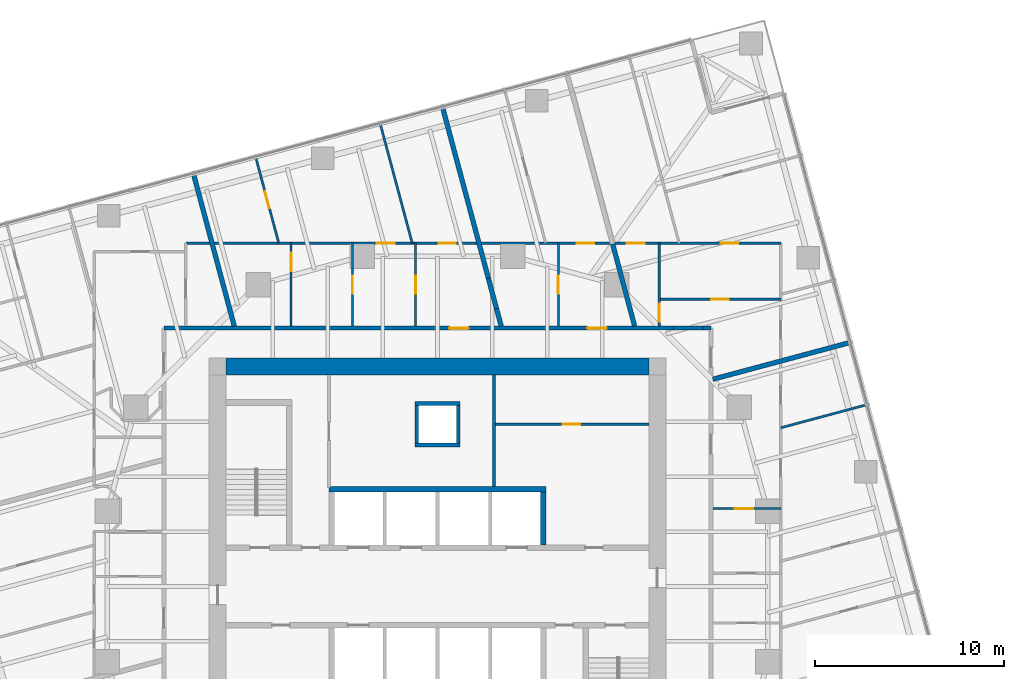
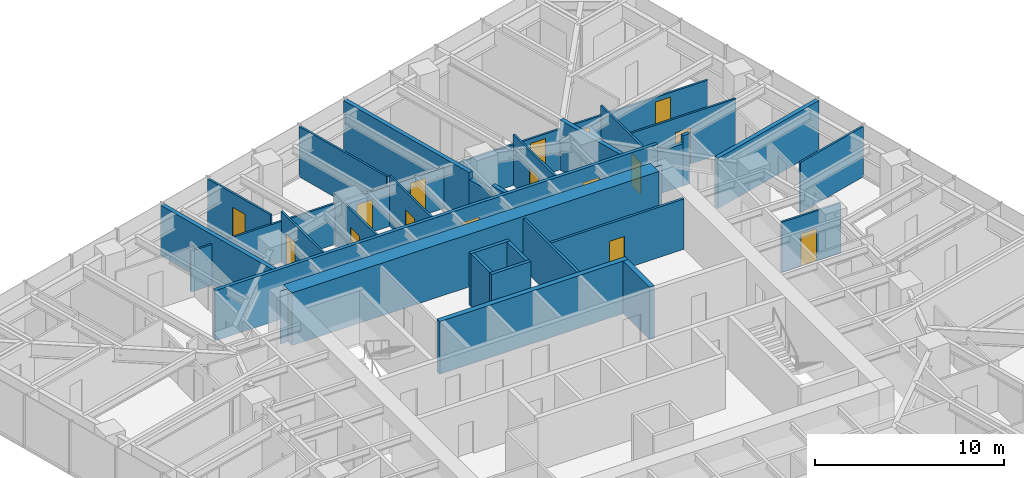
# One storey, part 13 of 15: 29 walls, 16 doors, 16 openings.
"""IFC4 building model written with IfcOpenShell, lengths in metres."""

from ifc_helpers import new_model, si_unit, direction, frame, frame_2d, origin, place, context, subcontext, project, spatial, polyline, rectangle, outline, extrude, material, layer, layer_set, type_object, element, fill, save


model = new_model("IFC4")

# Units and contexts
model_context = context("Model", 3, precision=1e-05, world=origin(), true_north=direction((0.0, 1.0)))
body_context = subcontext(model_context, "Body", "Model", "MODEL_VIEW")
ifc_project = project(units=[si_unit("LENGTHUNIT", "METRE"), si_unit("AREAUNIT", "SQUARE_METRE"), si_unit("VOLUMEUNIT", "CUBIC_METRE"), si_unit("PLANEANGLEUNIT", "RADIAN"), si_unit("MASSUNIT", "GRAM", prefix="KILO")], contexts=[model_context])

# Site, building, storey
site_placement = place(None, origin())
site = spatial("IfcSite", under=ifc_project, at=site_placement, CompositionType="ELEMENT")
building_placement = place(site_placement, origin())
building = spatial("IfcBuilding", under=site, at=building_placement, Name="Torsade Residences", CompositionType="ELEMENT")
storey_placement = place(building_placement, frame((0.0, 0.0, 132.0)))
storey = spatial("IfcBuildingStorey", under=building, at=storey_placement, Name="L36", CompositionType="ELEMENT", Elevation=132.0)

# Walls
ifc_material_1 = material(Name="Concrete 80 MPa", Category="concrete")
ifc_layer_1 = layer(ifc_material_1, 0.300048828125)
ifc_layer_set_1 = layer_set([ifc_layer_1], Name="Concrete 80 MPa")
wall_type_1 = type_object("IfcWallType", Name="CORE INTERNAL WALL 300", PredefinedType="SHEAR", material=ifc_layer_set_1)
wall_1_placement = place(storey_placement, frame((34.25, 35.14990234375, 0.0), z_axis=(0.0, 0.0, 1.0), x_axis=(1.0, 0.0, 0.0)))
element("IfcWall", 1, at=wall_1_placement, inside=storey, type_object=wall_type_1, Name="Core wall BN L36", PredefinedType="SHEAR", context=body_context, shape_type="SweptSolid", body=[
    extrude(rectangle(XDim=11.5, YDim=0.300048828125, at=frame_2d((5.75, 0.0))), origin(), (0.0, 0.0, 1.0), 3.39990234375),
])
wall_2_placement = place(storey_placement, frame((45.60009765625, 32.199951171875, 0.0), z_axis=(0.0, 0.0, 1.0), x_axis=(0.0, 1.0, 0.0)))
element("IfcWall", 2, at=wall_2_placement, inside=storey, type_object=wall_type_1, Name="Core wall DN4 L36", PredefinedType="SHEAR", context=body_context, shape_type="SweptSolid", body=[
    extrude(rectangle(XDim=2.800048828125, YDim=0.300048828125, at=frame_2d((1.39990234375, 0.0))), origin(), (0.0, 0.0, 1.0), 3.39990234375),
])
ifc_material_2 = material(Name="Concrete 80 MPa", Category="concrete")
ifc_layer_2 = layer(ifc_material_2, 0.89990234375)
ifc_layer_set_2 = layer_set([ifc_layer_2], Name="Concrete 80 MPa")
wall_type_2 = type_object("IfcWallType", Name="CORE WALL 900", PredefinedType="SHEAR", material=ifc_layer_set_2)
wall_3_placement = place(storey_placement, frame((28.800048828125, 41.64990234375, 0.0), z_axis=(0.0, 0.0, 1.0), x_axis=(1.0, 0.0, 0.0)))
element("IfcWall", 3, at=wall_3_placement, inside=storey, type_object=wall_type_2, Name="Core wall N L36", PredefinedType="SHEAR", context=body_context, shape_type="SweptSolid", body=[
    extrude(outline(polyline([(0.0, -0.449951171875), (22.39990234375, -0.449951171875), (22.39990234375, -0.02490234375), (22.849853515625, -0.02490234375), (22.849853515625, 0.02490234375), (22.39990234375, 0.02490234375), (22.39990234375, 0.449951171875), (0.0, 0.449951171875), (0.0, 0.02490234375), (-0.449951171875, 0.02490234375), (-0.449951171875, -0.02490234375), (0.0, -0.02490234375), (0.0, -0.449951171875)])), origin(), (0.0, 0.0, 1.0), 3.39990234375),
])
ifc_material_3 = material(Name="Plasterboard on steel stud", Category="steel")
ifc_layer_3 = layer(ifc_material_3, 0.199951171875)
ifc_layer_set_3 = layer_set([ifc_layer_3], Name="Plasterboard on steel stud")
wall_type_3 = type_object("IfcWallType", Name="CORRIDOR WALL 200", PredefinedType="PARTITIONING", material=ifc_layer_set_3)
wall_4_placement = place(storey_placement, frame((54.5, 43.699951171875, 0.0), z_axis=(0.0, 0.0, 1.0), x_axis=(-1.0, 0.0, 0.0)))
element("IfcWall", 4, at=wall_4_placement, inside=storey, type_object=wall_type_3, Name="Corridor wall L36", PredefinedType="PARTITIONING", context=body_context, shape_type="SweptSolid", body=[
    extrude(rectangle(XDim=0.426025390625, YDim=0.199951171875, at=frame_2d((0.212890625, 0.0))), origin(), (0.0, 0.0, 1.0), 3.25),
])
wall_5_placement = place(storey_placement, frame((54.073974609375, 43.699951171875, 0.0), z_axis=(0.0, 0.0, 1.0), x_axis=(-1.0, 0.0, 0.0)))
element("IfcWall", 5, at=wall_5_placement, inside=storey, type_object=wall_type_3, Name="Corridor wall L36", PredefinedType="PARTITIONING", context=body_context, shape_type="SweptSolid", body=[
    extrude(rectangle(XDim=1.553955078125, YDim=0.199951171875, at=frame_2d((0.77685546875, 0.0))), origin(), (0.0, 0.0, 1.0), 2.720947265625),
])

# Wall, openings, doors
wall_6_placement = place(storey_placement, frame((52.52001953125, 43.699951171875, 0.0), z_axis=(0.0, 0.0, 1.0), x_axis=(-1.0, 0.0, 0.0)))
wall_6 = element("IfcWall", 6, at=wall_6_placement, inside=storey, type_object=wall_type_3, Name="Corridor wall L36", PredefinedType="PARTITIONING", context=body_context, shape_type="SweptSolid", body=[
    extrude(rectangle(XDim=27.02001953125, YDim=0.199951171875, at=frame_2d((13.510009765625, 0.0))), origin(), (0.0, 0.0, 1.0), 3.25),
])
opening_1_placement = place(wall_6_placement, frame((10.8720703125, 0.0, 0.0)))
opening_1 = element("IfcOpeningElement", 7, at=opening_1_placement, cuts=wall_6, Name="Opening D01", PredefinedType="OPENING", context=body_context, shape_type="SweptSolid", body=[
    extrude(rectangle(XDim=1.02001953125, YDim=2.340087890625, at=frame_2d((0.510009765625, 1.169921875))), frame((0.0, 0.10986328125, 0.0), z_axis=(0.0, -1.0, 0.0), x_axis=(1.0, 0.0, 0.0)), (0.0, 0.0, 1.0), 0.219970703125),
])
opening_2_placement = place(wall_6_placement, frame((3.54931640625, 0.0, 0.0)))
opening_2 = element("IfcOpeningElement", 8, at=opening_2_placement, cuts=wall_6, Name="Opening D01", PredefinedType="OPENING", context=body_context, shape_type="SweptSolid", body=[
    extrude(rectangle(XDim=1.02001953125, YDim=2.340087890625, at=frame_2d((0.510009765625, 1.169921875))), frame((0.0, 0.10986328125, 0.0), z_axis=(0.0, -1.0, 0.0), x_axis=(1.0, 0.0, 0.0)), (0.0, 0.0, 1.0), 0.219970703125),
])
ifc_material_4 = material(Name="Solid-core timber fire door", Category="wood")
door_type_1 = type_object("IfcDoorType", Name="APARTMENT ENTRY DOOR 1020x2340", OperationType="NOTDEFINED", PredefinedType="DOOR", material=ifc_material_4)
door_1_placement = place(opening_1_placement, origin())
door_1 = element("IfcDoor", 9, at=door_1_placement, inside=storey, type_object=door_type_1, Name="Door Residential corridor to Kitchen and dining", OperationType="SINGLE_SWING_LEFT", OverallHeight=2.340087890625, OverallWidth=1.02001953125, PredefinedType="DOOR", context=body_context, shape_type="SweptSolid", body=[
    extrude(rectangle(XDim=1.02001953125, YDim=2.340087890625, at=frame_2d((0.510009765625, 1.169921875))), frame((0.0, 0.02490234375, 0.0), z_axis=(0.0, -1.0, 0.0), x_axis=(1.0, 0.0, 0.0)), (0.0, 0.0, 1.0), 0.050048828125),
])
fill(opening_1, door_1)
door_2_placement = place(opening_2_placement, origin())
door_2 = element("IfcDoor", 10, at=door_2_placement, inside=storey, type_object=door_type_1, Name="Door Residential corridor to Kitchen and dining", OperationType="SINGLE_SWING_LEFT", OverallHeight=2.340087890625, OverallWidth=1.02001953125, PredefinedType="DOOR", context=body_context, shape_type="SweptSolid", body=[
    extrude(rectangle(XDim=1.02001953125, YDim=2.340087890625, at=frame_2d((0.510009765625, 1.169921875))), frame((0.0, 0.02490234375, 0.0), z_axis=(0.0, -1.0, 0.0), x_axis=(1.0, 0.0, 0.0)), (0.0, 0.0, 1.0), 0.050048828125),
])
fill(opening_2, door_2)

# Wall, opening, door
ifc_material_5 = material(Name="Plasterboard on steel stud", Category="steel")
ifc_layer_4 = layer(ifc_material_5, 0.1201171875)
ifc_layer_set_4 = layer_set([ifc_layer_4], Name="Plasterboard on steel stud")
wall_type_4 = type_object("IfcWallType", Name="PARTITION 120", PredefinedType="PARTITIONING", material=ifc_layer_set_4)
wall_7_placement = place(storey_placement, frame((58.199951171875, 34.13134765625, 0.0), z_axis=(0.0, 0.0, 1.0), x_axis=(-1.0, 0.0, 0.0)))
wall_7 = element("IfcWall", 11, at=wall_7_placement, inside=storey, type_object=wall_type_4, Name="Partition L36", PredefinedType="PARTITIONING", context=body_context, shape_type="SweptSolid", body=[
    extrude(rectangle(XDim=3.599853515625, YDim=0.1201171875, at=frame_2d((1.7998046875, 0.0))), origin(), (0.0, 0.0, 1.0), 3.25),
])
opening_3_placement = place(wall_7_placement, frame((1.469970703125, 0.0, 0.0)))
opening_3 = element("IfcOpeningElement", 12, at=opening_3_placement, cuts=wall_7, Name="Opening D05", PredefinedType="OPENING", context=body_context, shape_type="SweptSolid", body=[
    extrude(rectangle(XDim=0.9599609375, YDim=2.10009765625, at=frame_2d((0.47998046875, 1.050048828125))), frame((0.0, 0.070068359375, 0.0), z_axis=(0.0, -1.0, 0.0), x_axis=(1.0, 0.0, 0.0)), (0.0, 0.0, 1.0), 0.14013671875),
])
ifc_material_6 = material(Name="Hollow-core timber door in a steel cavity frame", Category="steel")
door_type_2 = type_object("IfcDoorType", Name="BATHROOM CAVITY SLIDING DOOR 960", OperationType="SLIDING_TO_LEFT", PredefinedType="DOOR", material=ifc_material_6)
door_3_placement = place(opening_3_placement, origin())
door_3 = element("IfcDoor", 13, at=door_3_placement, inside=storey, type_object=door_type_2, Name="Door Kitchen and dining to Ensuite", OperationType="SLIDING_TO_LEFT", OverallHeight=2.10009765625, OverallWidth=0.9599609375, PredefinedType="DOOR", context=body_context, shape_type="SweptSolid", body=[
    extrude(rectangle(XDim=0.9599609375, YDim=2.10009765625, at=frame_2d((0.47998046875, 1.050048828125))), frame((0.0, 0.02490234375, 0.0), z_axis=(0.0, -1.0, 0.0), x_axis=(1.0, 0.0, 0.0)), (0.0, 0.0, 1.0), 0.050048828125),
])
fill(opening_3, door_3)

# Wall
wall_8_placement = place(storey_placement, frame((58.199951171875, 38.413818359375, 0.0), z_axis=(0.0, 0.0, 1.0), x_axis=(0.965928353663, 0.258809612631, 0.0)))
element("IfcWall", 14, at=wall_8_placement, inside=storey, type_object=wall_type_4, Name="Partition L36", PredefinedType="PARTITIONING", context=body_context, shape_type="SweptSolid", body=[
    extrude(rectangle(XDim=4.702392578125, YDim=0.1201171875, at=frame_2d((2.35107421875, 0.0))), origin(), (0.0, 0.0, 1.0), 3.25),
])

# Wall, opening, door
wall_9_placement = place(storey_placement, frame((51.7509765625, 45.22802734375, 0.0), z_axis=(0.0, 0.0, 1.0), x_axis=(1.0, 0.0, 0.0)))
wall_9 = element("IfcWall", 15, at=wall_9_placement, inside=storey, type_object=wall_type_4, Name="Partition L36", PredefinedType="PARTITIONING", context=body_context, shape_type="SweptSolid", body=[
    extrude(rectangle(XDim=6.448974609375, YDim=0.1201171875, at=frame_2d((3.224609375, 0.0))), origin(), (0.0, 0.0, 1.0), 3.25),
])
opening_4_placement = place(wall_9_placement, frame((2.764404296875, 0.0, 0.0)))
opening_4 = element("IfcOpeningElement", 16, at=opening_4_placement, cuts=wall_9, Name="Opening D02", PredefinedType="OPENING", context=body_context, shape_type="SweptSolid", body=[
    extrude(rectangle(XDim=0.919921875, YDim=2.340087890625, at=frame_2d((0.4599609375, 1.169921875))), frame((0.0, 0.070068359375, 0.0), z_axis=(0.0, -1.0, 0.0), x_axis=(1.0, 0.0, 0.0)), (0.0, 0.0, 1.0), 0.14013671875),
])
ifc_material_7 = material(Name="Hollow-core timber door", Category="wood")
door_type_3 = type_object("IfcDoorType", Name="INTERNAL DOOR 920x2340", OperationType="NOTDEFINED", PredefinedType="DOOR", material=ifc_material_7)
door_4_placement = place(opening_4_placement, origin())
door_4 = element("IfcDoor", 17, at=door_4_placement, inside=storey, type_object=door_type_3, Name="Door Kitchen and dining to Scullery", OperationType="SINGLE_SWING_RIGHT", OverallHeight=2.340087890625, OverallWidth=0.919921875, PredefinedType="DOOR", context=body_context, shape_type="SweptSolid", body=[
    extrude(rectangle(XDim=0.919921875, YDim=2.340087890625, at=frame_2d((0.4599609375, 1.169921875))), frame((0.0, 0.02490234375, 0.0), z_axis=(0.0, -1.0, 0.0), x_axis=(1.0, 0.0, 0.0)), (0.0, 0.0, 1.0), 0.050048828125),
])
fill(opening_4, door_4)

wall_10_placement = place(storey_placement, frame((51.7509765625, 43.800048828125, 0.0), z_axis=(0.0, 0.0, 1.0), x_axis=(0.0, 1.0, 0.0)))
wall_10 = element("IfcWall", 18, at=wall_10_placement, inside=storey, type_object=wall_type_4, Name="Partition L36", PredefinedType="PARTITIONING", context=body_context, shape_type="SweptSolid", body=[
    extrude(rectangle(XDim=4.39990234375, YDim=0.1201171875, at=frame_2d((2.199951171875, 0.0))), origin(), (0.0, 0.0, 1.0), 3.25),
])
opening_5_placement = place(wall_10_placement, frame((0.23388671875, 0.0, 0.0)))
opening_5 = element("IfcOpeningElement", 19, at=opening_5_placement, cuts=wall_10, Name="Opening D05", PredefinedType="OPENING", context=body_context, shape_type="SweptSolid", body=[
    extrude(rectangle(XDim=0.9599609375, YDim=2.10009765625, at=frame_2d((0.47998046875, 1.050048828125))), frame((0.0, 0.070068359375, 0.0), z_axis=(0.0, -1.0, 0.0), x_axis=(1.0, 0.0, 0.0)), (0.0, 0.0, 1.0), 0.14013671875),
])
door_5_placement = place(opening_5_placement, origin())
door_5 = element("IfcDoor", 20, at=door_5_placement, inside=storey, type_object=door_type_2, Name="Door Kitchen and dining to Bathroom", OperationType="SLIDING_TO_LEFT", OverallHeight=2.10009765625, OverallWidth=0.9599609375, PredefinedType="DOOR", context=body_context, shape_type="SweptSolid", body=[
    extrude(rectangle(XDim=0.9599609375, YDim=2.10009765625, at=frame_2d((0.47998046875, 1.050048828125))), frame((0.0, 0.02490234375, 0.0), z_axis=(0.0, -1.0, 0.0), x_axis=(1.0, 0.0, 0.0)), (0.0, 0.0, 1.0), 0.050048828125),
])
fill(opening_5, door_5)

# Wall, openings, doors
wall_11_placement = place(storey_placement, frame((26.65673828125, 48.199951171875, 0.0), z_axis=(0.0, 0.0, 1.0), x_axis=(1.0, 0.0, 0.0)))
wall_11 = element("IfcWall", 21, at=wall_11_placement, inside=storey, type_object=wall_type_4, Name="Partition L36", PredefinedType="PARTITIONING", context=body_context, shape_type="SweptSolid", body=[
    extrude(rectangle(XDim=31.543212890625, YDim=0.1201171875, at=frame_2d((15.771484375, 0.0))), origin(), (0.0, 0.0, 1.0), 2.636962890625),
])
opening_6_placement = place(wall_11_placement, frame((13.400390625, 0.0, 0.0)))
opening_6 = element("IfcOpeningElement", 22, at=opening_6_placement, cuts=wall_11, Name="Opening D02", PredefinedType="OPENING", context=body_context, shape_type="SweptSolid", body=[
    extrude(rectangle(XDim=0.919921875, YDim=2.340087890625, at=frame_2d((0.4599609375, 1.169921875))), frame((0.0, 0.070068359375, 0.0), z_axis=(0.0, -1.0, 0.0), x_axis=(1.0, 0.0, 0.0)), (0.0, 0.0, 1.0), 0.14013671875),
])
opening_7_placement = place(wall_11_placement, frame((20.723388671875, 0.0, 0.0)))
opening_7 = element("IfcOpeningElement", 23, at=opening_7_placement, cuts=wall_11, Name="Opening D02", PredefinedType="OPENING", context=body_context, shape_type="SweptSolid", body=[
    extrude(rectangle(XDim=0.919921875, YDim=2.340087890625, at=frame_2d((0.4599609375, 1.169921875))), frame((0.0, 0.070068359375, 0.0), z_axis=(0.0, -1.0, 0.0), x_axis=(1.0, 0.0, 0.0)), (0.0, 0.0, 1.0), 0.14013671875),
])
opening_8_placement = place(wall_11_placement, frame((10.11669921875, 0.0, 0.0)))
opening_8 = element("IfcOpeningElement", 24, at=opening_8_placement, cuts=wall_11, Name="Opening D05", PredefinedType="OPENING", context=body_context, shape_type="SweptSolid", body=[
    extrude(rectangle(XDim=0.9599609375, YDim=2.10009765625, at=frame_2d((0.47998046875, 1.050048828125))), frame((0.0, 0.070068359375, 0.0), z_axis=(0.0, -1.0, 0.0), x_axis=(1.0, 0.0, 0.0)), (0.0, 0.0, 1.0), 0.14013671875),
])
opening_9_placement = place(wall_11_placement, frame((28.362060546875, 0.0, 0.0)))
opening_9 = element("IfcOpeningElement", 25, at=opening_9_placement, cuts=wall_11, Name="Opening D02", PredefinedType="OPENING", context=body_context, shape_type="SweptSolid", body=[
    extrude(rectangle(XDim=0.919921875, YDim=2.340087890625, at=frame_2d((0.4599609375, 1.169921875))), frame((0.0, 0.070068359375, 0.0), z_axis=(0.0, -1.0, 0.0), x_axis=(1.0, 0.0, 0.0)), (0.0, 0.0, 1.0), 0.14013671875),
])
opening_10_placement = place(wall_11_placement, frame((23.374755859375, 0.0, 0.0)))
opening_10 = element("IfcOpeningElement", 26, at=opening_10_placement, cuts=wall_11, Name="Opening D05", PredefinedType="OPENING", context=body_context, shape_type="SweptSolid", body=[
    extrude(rectangle(XDim=0.9599609375, YDim=2.10009765625, at=frame_2d((0.47998046875, 1.050048828125))), frame((0.0, 0.070068359375, 0.0), z_axis=(0.0, -1.0, 0.0), x_axis=(1.0, 0.0, 0.0)), (0.0, 0.0, 1.0), 0.14013671875),
])
door_6_placement = place(opening_8_placement, origin())
door_6 = element("IfcDoor", 27, at=door_6_placement, inside=storey, type_object=door_type_2, Name="Door Bathroom to Living room", OperationType="SLIDING_TO_LEFT", OverallHeight=2.10009765625, OverallWidth=0.9599609375, PredefinedType="DOOR", context=body_context, shape_type="SweptSolid", body=[
    extrude(rectangle(XDim=0.9599609375, YDim=2.10009765625, at=frame_2d((0.47998046875, 1.050048828125))), frame((0.0, 0.02490234375, 0.0), z_axis=(0.0, -1.0, 0.0), x_axis=(1.0, 0.0, 0.0)), (0.0, 0.0, 1.0), 0.050048828125),
])
fill(opening_8, door_6)
door_7_placement = place(opening_10_placement, origin())
door_7 = element("IfcDoor", 28, at=door_7_placement, inside=storey, type_object=door_type_2, Name="Door Bathroom to Bedroom 2", OperationType="SLIDING_TO_LEFT", OverallHeight=2.10009765625, OverallWidth=0.9599609375, PredefinedType="DOOR", context=body_context, shape_type="SweptSolid", body=[
    extrude(rectangle(XDim=0.9599609375, YDim=2.10009765625, at=frame_2d((0.47998046875, 1.050048828125))), frame((0.0, 0.02490234375, 0.0), z_axis=(0.0, -1.0, 0.0), x_axis=(1.0, 0.0, 0.0)), (0.0, 0.0, 1.0), 0.050048828125),
])
fill(opening_10, door_7)
door_8_placement = place(opening_6_placement, origin())
door_8 = element("IfcDoor", 29, at=door_8_placement, inside=storey, type_object=door_type_3, Name="Door Kitchen and dining to Bedroom 1", OperationType="SINGLE_SWING_RIGHT", OverallHeight=2.340087890625, OverallWidth=0.919921875, PredefinedType="DOOR", context=body_context, shape_type="SweptSolid", body=[
    extrude(rectangle(XDim=0.919921875, YDim=2.340087890625, at=frame_2d((0.4599609375, 1.169921875))), frame((0.0, 0.02490234375, 0.0), z_axis=(0.0, -1.0, 0.0), x_axis=(1.0, 0.0, 0.0)), (0.0, 0.0, 1.0), 0.050048828125),
])
fill(opening_6, door_8)
door_9_placement = place(opening_7_placement, origin())
door_9 = element("IfcDoor", 30, at=door_9_placement, inside=storey, type_object=door_type_3, Name="Door Kitchen and dining to Living room", OperationType="SINGLE_SWING_RIGHT", OverallHeight=2.340087890625, OverallWidth=0.919921875, PredefinedType="DOOR", context=body_context, shape_type="SweptSolid", body=[
    extrude(rectangle(XDim=0.919921875, YDim=2.340087890625, at=frame_2d((0.4599609375, 1.169921875))), frame((0.0, 0.02490234375, 0.0), z_axis=(0.0, -1.0, 0.0), x_axis=(1.0, 0.0, 0.0)), (0.0, 0.0, 1.0), 0.050048828125),
])
fill(opening_7, door_9)
door_10_placement = place(opening_9_placement, origin())
door_10 = element("IfcDoor", 31, at=door_10_placement, inside=storey, type_object=door_type_3, Name="Door Scullery to Bedroom 1", OperationType="SINGLE_SWING_LEFT", OverallHeight=2.340087890625, OverallWidth=0.919921875, PredefinedType="DOOR", context=body_context, shape_type="SweptSolid", body=[
    extrude(rectangle(XDim=0.919921875, YDim=2.340087890625, at=frame_2d((0.4599609375, 1.169921875))), frame((0.0, 0.02490234375, 0.0), z_axis=(0.0, -1.0, 0.0), x_axis=(1.0, 0.0, 0.0)), (0.0, 0.0, 1.0), 0.050048828125),
])
fill(opening_9, door_10)

# Wall, opening, door
wall_12_placement = place(storey_placement, frame((46.408203125, 43.800048828125, 0.0), z_axis=(0.0, 0.0, 1.0), x_axis=(0.0, 1.0, 0.0)))
wall_12 = element("IfcWall", 32, at=wall_12_placement, inside=storey, type_object=wall_type_4, Name="Partition L36", PredefinedType="PARTITIONING", context=body_context, shape_type="SweptSolid", body=[
    extrude(rectangle(XDim=4.39990234375, YDim=0.1201171875, at=frame_2d((2.199951171875, 0.0))), origin(), (0.0, 0.0, 1.0), 3.25),
])
opening_11_placement = place(wall_12_placement, frame((1.719970703125, 0.0, 0.0)))
opening_11 = element("IfcOpeningElement", 33, at=opening_11_placement, cuts=wall_12, Name="Opening D05", PredefinedType="OPENING", context=body_context, shape_type="SweptSolid", body=[
    extrude(rectangle(XDim=0.9599609375, YDim=2.10009765625, at=frame_2d((0.47998046875, 1.050048828125))), frame((0.0, 0.070068359375, 0.0), z_axis=(0.0, -1.0, 0.0), x_axis=(1.0, 0.0, 0.0)), (0.0, 0.0, 1.0), 0.14013671875),
])
door_11_placement = place(opening_11_placement, origin())
door_11 = element("IfcDoor", 34, at=door_11_placement, inside=storey, type_object=door_type_2, Name="Door Kitchen and dining to Bathroom", OperationType="SLIDING_TO_LEFT", OverallHeight=2.10009765625, OverallWidth=0.9599609375, PredefinedType="DOOR", context=body_context, shape_type="SweptSolid", body=[
    extrude(rectangle(XDim=0.9599609375, YDim=2.10009765625, at=frame_2d((0.47998046875, 1.050048828125))), frame((0.0, 0.02490234375, 0.0), z_axis=(0.0, -1.0, 0.0), x_axis=(1.0, 0.0, 0.0)), (0.0, 0.0, 1.0), 0.050048828125),
])
fill(opening_11, door_11)

wall_13_placement = place(storey_placement, frame((38.8369140625, 43.800048828125, 0.0), z_axis=(0.0, 0.0, 1.0), x_axis=(0.0, 1.0, 0.0)))
wall_13 = element("IfcWall", 35, at=wall_13_placement, inside=storey, type_object=wall_type_4, Name="Partition L36", PredefinedType="PARTITIONING", context=body_context, shape_type="SweptSolid", body=[
    extrude(rectangle(XDim=4.39990234375, YDim=0.1201171875, at=frame_2d((2.199951171875, 0.0))), origin(), (0.0, 0.0, 1.0), 3.25),
])
opening_12_placement = place(wall_13_placement, frame((1.719970703125, 0.0, 0.0)))
opening_12 = element("IfcOpeningElement", 36, at=opening_12_placement, cuts=wall_13, Name="Opening D05", PredefinedType="OPENING", context=body_context, shape_type="SweptSolid", body=[
    extrude(rectangle(XDim=0.9599609375, YDim=2.10009765625, at=frame_2d((0.47998046875, 1.050048828125))), frame((0.0, 0.070068359375, 0.0), z_axis=(0.0, -1.0, 0.0), x_axis=(1.0, 0.0, 0.0)), (0.0, 0.0, 1.0), 0.14013671875),
])
door_12_placement = place(opening_12_placement, origin())
door_12 = element("IfcDoor", 37, at=door_12_placement, inside=storey, type_object=door_type_2, Name="Door Kitchen and dining to Bathroom", OperationType="SLIDING_TO_LEFT", OverallHeight=2.10009765625, OverallWidth=0.9599609375, PredefinedType="DOOR", context=body_context, shape_type="SweptSolid", body=[
    extrude(rectangle(XDim=0.9599609375, YDim=2.10009765625, at=frame_2d((0.47998046875, 1.050048828125))), frame((0.0, 0.02490234375, 0.0), z_axis=(0.0, -1.0, 0.0), x_axis=(1.0, 0.0, 0.0)), (0.0, 0.0, 1.0), 0.050048828125),
])
fill(opening_12, door_12)

wall_14_placement = place(storey_placement, frame((35.494384765625, 43.800048828125, 0.0), z_axis=(0.0, 0.0, 1.0), x_axis=(0.0, 1.0, 0.0)))
wall_14 = element("IfcWall", 38, at=wall_14_placement, inside=storey, type_object=wall_type_4, Name="Partition L36", PredefinedType="PARTITIONING", context=body_context, shape_type="SweptSolid", body=[
    extrude(rectangle(XDim=4.39990234375, YDim=0.1201171875, at=frame_2d((2.199951171875, 0.0))), origin(), (0.0, 0.0, 1.0), 3.25),
])
opening_13_placement = place(wall_14_placement, frame((1.719970703125, 0.0, 0.0)))
opening_13 = element("IfcOpeningElement", 39, at=opening_13_placement, cuts=wall_14, Name="Opening D05", PredefinedType="OPENING", context=body_context, shape_type="SweptSolid", body=[
    extrude(rectangle(XDim=0.9599609375, YDim=2.10009765625, at=frame_2d((0.47998046875, 1.050048828125))), frame((0.0, 0.070068359375, 0.0), z_axis=(0.0, -1.0, 0.0), x_axis=(1.0, 0.0, 0.0)), (0.0, 0.0, 1.0), 0.14013671875),
])
door_13_placement = place(opening_13_placement, origin())
door_13 = element("IfcDoor", 40, at=door_13_placement, inside=storey, type_object=door_type_2, Name="Door Bathroom to Ensuite", OperationType="SLIDING_TO_LEFT", OverallHeight=2.10009765625, OverallWidth=0.9599609375, PredefinedType="DOOR", context=body_context, shape_type="SweptSolid", body=[
    extrude(rectangle(XDim=0.9599609375, YDim=2.10009765625, at=frame_2d((0.47998046875, 1.050048828125))), frame((0.0, 0.02490234375, 0.0), z_axis=(0.0, -1.0, 0.0), x_axis=(1.0, 0.0, 0.0)), (0.0, 0.0, 1.0), 0.050048828125),
])
fill(opening_13, door_13)

wall_15_placement = place(storey_placement, frame((32.238525390625, 43.800048828125, 0.0), z_axis=(0.0, 0.0, 1.0), x_axis=(0.0, 1.0, 0.0)))
wall_15 = element("IfcWall", 41, at=wall_15_placement, inside=storey, type_object=wall_type_4, Name="Partition L36", PredefinedType="PARTITIONING", context=body_context, shape_type="SweptSolid", body=[
    extrude(rectangle(XDim=4.39990234375, YDim=0.1201171875, at=frame_2d((2.199951171875, 0.0))), origin(), (0.0, 0.0, 1.0), 3.25),
])
opening_14_placement = place(wall_15_placement, frame((2.919921875, 0.0, 0.0)))
opening_14 = element("IfcOpeningElement", 42, at=opening_14_placement, cuts=wall_15, Name="Opening D05", PredefinedType="OPENING", context=body_context, shape_type="SweptSolid", body=[
    extrude(rectangle(XDim=0.9599609375, YDim=2.10009765625, at=frame_2d((0.47998046875, 1.050048828125))), frame((0.0, 0.070068359375, 0.0), z_axis=(0.0, -1.0, 0.0), x_axis=(1.0, 0.0, 0.0)), (0.0, 0.0, 1.0), 0.14013671875),
])
door_14_placement = place(opening_14_placement, origin())
door_14 = element("IfcDoor", 43, at=door_14_placement, inside=storey, type_object=door_type_2, Name="Door Ensuite to Laundry", OperationType="SLIDING_TO_LEFT", OverallHeight=2.10009765625, OverallWidth=0.9599609375, PredefinedType="DOOR", context=body_context, shape_type="SweptSolid", body=[
    extrude(rectangle(XDim=0.9599609375, YDim=2.10009765625, at=frame_2d((0.47998046875, 1.050048828125))), frame((0.0, 0.02490234375, 0.0), z_axis=(0.0, -1.0, 0.0), x_axis=(1.0, 0.0, 0.0)), (0.0, 0.0, 1.0), 0.050048828125),
])
fill(opening_14, door_14)

# Wall
wall_16_placement = place(storey_placement, frame((36.969482421875, 54.5107421875, 0.0), z_axis=(0.0, 0.0, 1.0), x_axis=(0.258846285554, -0.96591852682, 0.0)))
element("IfcWall", 44, at=wall_16_placement, inside=storey, type_object=wall_type_4, Name="Partition L36", PredefinedType="PARTITIONING", context=body_context, shape_type="SweptSolid", body=[
    extrude(rectangle(XDim=6.533447265625, YDim=0.1201171875, at=frame_2d((3.2666015625, 0.0))), origin(), (0.0, 0.0, 1.0), 3.25),
])

# Wall, opening, door
wall_17_placement = place(storey_placement, frame((31.586181640625, 48.199951171875, 0.0), z_axis=(0.0, 0.0, 1.0), x_axis=(-0.258809612631, 0.965928353663, 0.0)))
wall_17 = element("IfcWall", 45, at=wall_17_placement, inside=storey, type_object=wall_type_4, Name="Partition L36", PredefinedType="PARTITIONING", context=body_context, shape_type="SweptSolid", body=[
    extrude(rectangle(XDim=4.702392578125, YDim=0.1201171875, at=frame_2d((2.35107421875, 0.0))), origin(), (0.0, 0.0, 1.0), 3.25),
])
opening_15_placement = place(wall_17_placement, frame((1.9111328125, 0.0, 0.0)))
opening_15 = element("IfcOpeningElement", 46, at=opening_15_placement, cuts=wall_17, Name="Opening D02", PredefinedType="OPENING", context=body_context, shape_type="SweptSolid", body=[
    extrude(rectangle(XDim=0.919921875, YDim=2.340087890625, at=frame_2d((0.4599609375, 1.169921875))), frame((0.0, 0.070068359375, 0.0), z_axis=(0.0, -1.0, 0.0), x_axis=(1.0, 0.0, 0.0)), (0.0, 0.0, 1.0), 0.14013671875),
])
door_15_placement = place(opening_15_placement, origin())
door_15 = element("IfcDoor", 47, at=door_15_placement, inside=storey, type_object=door_type_3, Name="Door Living room to Bedroom 2", OperationType="SINGLE_SWING_LEFT", OverallHeight=2.340087890625, OverallWidth=0.919921875, PredefinedType="DOOR", context=body_context, shape_type="SweptSolid", body=[
    extrude(rectangle(XDim=0.919921875, YDim=2.340087890625, at=frame_2d((0.4599609375, 1.169921875))), frame((0.0, 0.02490234375, 0.0), z_axis=(0.0, -1.0, 0.0), x_axis=(1.0, 0.0, 0.0)), (0.0, 0.0, 1.0), 0.050048828125),
])
fill(opening_15, door_15)

# Walls
ifc_material_8 = material(Name="Masonry-lined stud party wall", Category="masonry")
ifc_layer_5 = layer(ifc_material_8, 0.25)
ifc_layer_set_5 = layer_set([ifc_layer_5], Name="Masonry-lined stud party wall")
wall_type_5 = type_object("IfcWallType", Name="PARTY WALL 250", PredefinedType="PARTITIONING", material=ifc_layer_set_5)
wall_18_placement = place(storey_placement, frame((61.896484375, 42.941650390625, 0.0), z_axis=(0.0, 0.0, 1.0), x_axis=(-0.965924988656, -0.258822171171, 0.0)))
element("IfcWall", 48, at=wall_18_placement, inside=storey, type_object=wall_type_5, Name="Party wall L36", PredefinedType="PARTITIONING", context=body_context, shape_type="SweptSolid", body=[
    extrude(rectangle(XDim=7.560302734375, YDim=0.25, at=frame_2d((3.7802734375, 0.0))), origin(), (0.0, 0.0, 1.0), 3.25),
])
wall_19_placement = place(storey_placement, frame((40.259521484375, 55.433837890625, 0.0), z_axis=(0.0, 0.0, 1.0), x_axis=(0.258812973453, -0.965927453162, 0.0)))
element("IfcWall", 49, at=wall_19_placement, inside=storey, type_object=wall_type_5, Name="Party wall L36", PredefinedType="PARTITIONING", context=body_context, shape_type="SweptSolid", body=[
    extrude(rectangle(XDim=9.4169921875, YDim=0.25, at=frame_2d((4.70849609375, 0.0))), origin(), (0.0, 0.0, 1.0), 3.25),
])
wall_20_placement = place(storey_placement, frame((42.69677734375, 46.337646484375, 0.0), z_axis=(0.0, 0.0, 1.0), x_axis=(0.258765365057, -0.965940208215, 0.0)))
element("IfcWall", 50, at=wall_20_placement, inside=storey, type_object=wall_type_5, Name="Party wall L36", PredefinedType="PARTITIONING", context=body_context, shape_type="SweptSolid", body=[
    extrude(rectangle(XDim=1.667236328125, YDim=0.25, at=frame_2d((0.83349609375, 0.0))), origin(), (0.0, 0.0, 1.0), 2.7958984375),
])
wall_21_placement = place(storey_placement, frame((43.128173828125, 44.727294921875, 0.0), z_axis=(0.0, 0.0, 1.0), x_axis=(0.258904424314, -0.965902944954, 0.0)))
element("IfcWall", 51, at=wall_21_placement, inside=storey, type_object=wall_type_5, Name="Party wall L36", PredefinedType="PARTITIONING", context=body_context, shape_type="SweptSolid", body=[
    extrude(rectangle(XDim=0.966552734375, YDim=0.25, at=frame_2d((0.4833984375, 0.0))), origin(), (0.0, 0.0, 1.0), 3.25),
])
wall_22_placement = place(storey_placement, frame((27.058349609375, 51.896484375, 0.0), z_axis=(0.0, 0.0, 1.0), x_axis=(0.258819975199, -0.96592557707, 0.0)))
element("IfcWall", 52, at=wall_22_placement, inside=storey, type_object=wall_type_5, Name="Party wall L36", PredefinedType="PARTITIONING", context=body_context, shape_type="SweptSolid", body=[
    extrude(rectangle(XDim=8.388671875, YDim=0.25, at=frame_2d((4.1943359375, 0.0))), origin(), (0.0, 0.0, 1.0), 3.25),
])
wall_23_placement = place(storey_placement, frame((49.283935546875, 48.15576171875, 0.0), z_axis=(0.0, 0.0, 1.0), x_axis=(0.258846876801, -0.965918368378, 0.0)))
element("IfcWall", 53, at=wall_23_placement, inside=storey, type_object=wall_type_5, Name="Party wall L36", PredefinedType="PARTITIONING", context=body_context, shape_type="SweptSolid", body=[
    extrude(rectangle(XDim=4.515869140625, YDim=0.25, at=frame_2d((2.2578125, 0.0))), origin(), (0.0, 0.0, 1.0), 3.25),
])
ifc_material_9 = material(Name="Reinforced blockwork", Category="masonry")
ifc_layer_6 = layer(ifc_material_9, 0.199951171875)
ifc_layer_set_6 = layer_set([ifc_layer_6], Name="Reinforced blockwork")
wall_type_6 = type_object("IfcWallType", Name="RISER SHAFT WALL 200", PredefinedType="SOLIDWALL", material=ifc_layer_set_6)
for number, where, z_axis, x_axis, name in (
    (54, (38.89990234375, 37.60009765625, 0.0), (0.0, 0.0, 1.0), (0.0, 1.0, 0.0), "Core wall RS1a L36"),
    (55, (41.10009765625, 37.60009765625, 0.0), (0.0, 0.0, 1.0), (0.0, 1.0, 0.0), "Core wall RS1b L36"),
):
    element("IfcWall", number, at=place(storey_placement, frame(where, z_axis=z_axis, x_axis=x_axis)), inside=storey, type_object=wall_type_6, Name=name, PredefinedType="SOLIDWALL", context=body_context, shape_type="SweptSolid", body=[
        extrude(rectangle(XDim=2.0, YDim=0.199951171875, at=frame_2d((1.0, 0.0))), origin(), (0.0, 0.0, 1.0), 3.39990234375),
    ])
for number, where, z_axis, x_axis, name in (
    (56, (38.800048828125, 37.5, 0.0), (0.0, 0.0, 1.0), (1.0, 0.0, 0.0), "Core wall RS1c L36"),
    (57, (38.800048828125, 39.699951171875, 0.0), (0.0, 0.0, 1.0), (1.0, 0.0, 0.0), "Core wall RS1d L36"),
):
    element("IfcWall", number, at=place(storey_placement, frame(where, z_axis=z_axis, x_axis=x_axis)), inside=storey, type_object=wall_type_6, Name=name, PredefinedType="SOLIDWALL", context=body_context, shape_type="SweptSolid", body=[
        extrude(rectangle(XDim=2.39990234375, YDim=0.199951171875, at=frame_2d((1.199951171875, 0.0))), origin(), (0.0, 0.0, 1.0), 3.39990234375),
    ])
ifc_material_10 = material(Name="Reinforced blockwork", Category="masonry")
ifc_layer_7 = layer(ifc_material_10, 0.14990234375)
ifc_layer_set_7 = layer_set([ifc_layer_7], Name="Reinforced blockwork")
wall_type_7 = type_object("IfcWallType", Name="SERVICE ROOM WALL 150", PredefinedType="SOLIDWALL", material=ifc_layer_set_7)
wall_24_placement = place(storey_placement, frame((43.0, 41.199951171875, 0.0), z_axis=(0.0, 0.0, 1.0), x_axis=(0.0, -1.0, 0.0)))
element("IfcWall", 58, at=wall_24_placement, inside=storey, type_object=wall_type_7, Name="Service room wall L36", PredefinedType="SOLIDWALL", context=body_context, shape_type="SweptSolid", body=[
    extrude(rectangle(XDim=5.89990234375, YDim=0.14990234375, at=frame_2d((2.949951171875, 0.0))), origin(), (0.0, 0.0, 1.0), 3.25),
])

# Wall, opening, door
wall_25_placement = place(storey_placement, frame((43.0, 38.60009765625, 0.0), z_axis=(0.0, 0.0, 1.0), x_axis=(1.0, 0.0, 0.0)))
wall_25 = element("IfcWall", 59, at=wall_25_placement, inside=storey, type_object=wall_type_7, Name="Service room wall L36", PredefinedType="SOLIDWALL", context=body_context, shape_type="SweptSolid", body=[
    extrude(rectangle(XDim=8.199951171875, YDim=0.14990234375, at=frame_2d((4.10009765625, 0.0))), origin(), (0.0, 0.0, 1.0), 3.25),
])
opening_16_placement = place(wall_25_placement, frame((3.639892578125, 0.0, 0.0)))
opening_16 = element("IfcOpeningElement", 60, at=opening_16_placement, cuts=wall_25, Name="Opening D06", PredefinedType="OPENING", context=body_context, shape_type="SweptSolid", body=[
    extrude(rectangle(XDim=0.919921875, YDim=2.10009765625, at=frame_2d((0.4599609375, 1.050048828125))), frame((0.0, 0.0849609375, 0.0), z_axis=(0.0, -1.0, 0.0), x_axis=(1.0, 0.0, 0.0)), (0.0, 0.0, 1.0), 0.169921875),
])
ifc_material_11 = material(Name="Steel-framed fire door", Category="steel")
door_type_4 = type_object("IfcDoorType", Name="FIRE DOOR 920", OperationType="NOTDEFINED", PredefinedType="DOOR", material=ifc_material_11)
door_16_placement = place(opening_16_placement, origin())
door_16 = element("IfcDoor", 61, at=door_16_placement, inside=storey, type_object=door_type_4, Name="Door Refuse room to Recycling room", OperationType="SINGLE_SWING_LEFT", OverallHeight=2.10009765625, OverallWidth=0.919921875, PredefinedType="DOOR", context=body_context, shape_type="SweptSolid", body=[
    extrude(rectangle(XDim=0.919921875, YDim=2.10009765625, at=frame_2d((0.4599609375, 1.050048828125))), frame((0.0, 0.02490234375, 0.0), z_axis=(0.0, -1.0, 0.0), x_axis=(1.0, 0.0, 0.0)), (0.0, 0.0, 1.0), 0.050048828125),
])
fill(opening_16, door_16)

save(model, "model.ifc")
